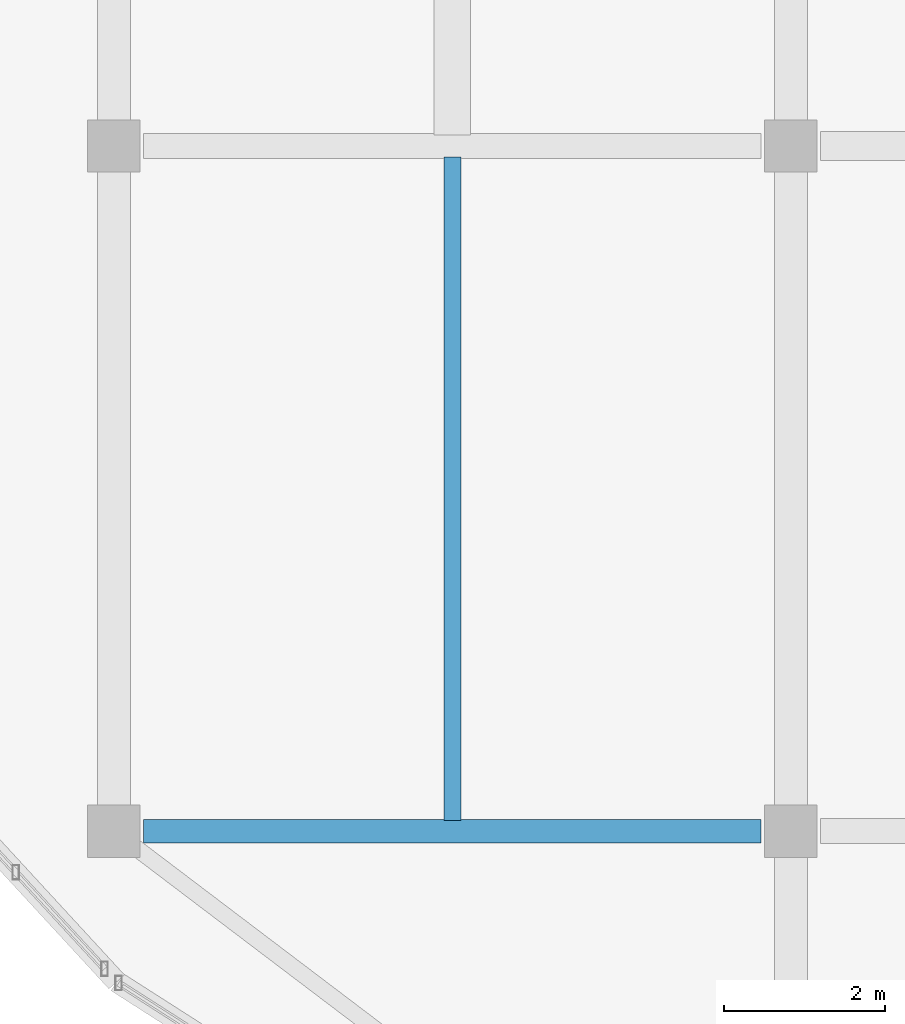
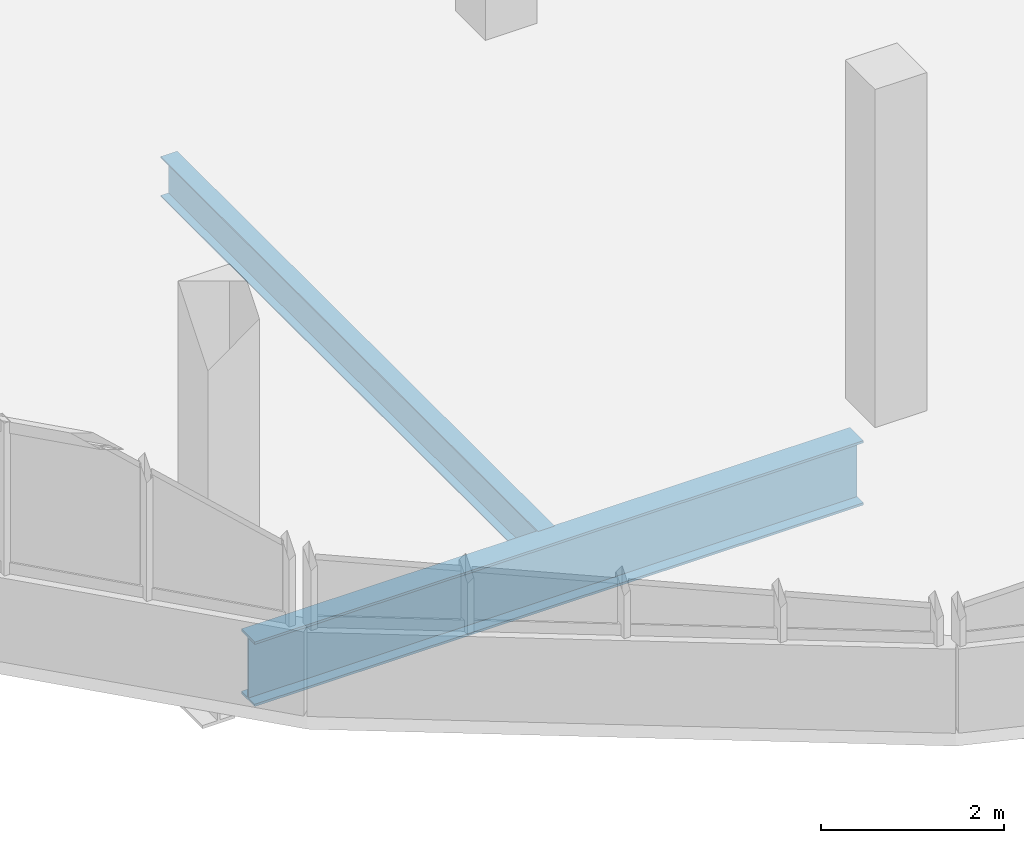
# One storey, part 7 of 50: 2 beams.
"""IFC4 building model written with IfcOpenShell, lengths in metres."""

from ifc_helpers import new_model, si_unit, direction, frame, origin, origin_2d, place, context, subcontext, project, spatial, i_section, extrude, material, material_profile, profile_set, type_object, element, save


model = new_model("IFC4")

# Units and contexts
model_context = context("Model", 3, precision=1e-05, world=origin(), true_north=direction((0.0, 1.0)))
body_context = subcontext(model_context, "Body", "Model", "MODEL_VIEW")
ifc_project = project(units=[si_unit("LENGTHUNIT", "METRE"), si_unit("AREAUNIT", "SQUARE_METRE"), si_unit("VOLUMEUNIT", "CUBIC_METRE"), si_unit("PLANEANGLEUNIT", "RADIAN"), si_unit("MASSUNIT", "GRAM", prefix="KILO")], contexts=[model_context])

# Site, building, storey
site_placement = place(None, origin())
site = spatial("IfcSite", under=ifc_project, at=site_placement, CompositionType="ELEMENT")
building_placement = place(site_placement, origin())
building = spatial("IfcBuilding", under=site, at=building_placement, Name="Solvento Point Concert Hall", CompositionType="ELEMENT")
storey_placement = place(building_placement, frame((0.0, 0.0, 15.0)))
storey = spatial("IfcBuildingStorey", under=building, at=storey_placement, Name="L03", CompositionType="ELEMENT", Elevation=15.0)

# Beams
ifc_material_1 = material(Name="Structural Steel ASTM A992 Grade 50", Category="steel")
ifc_material_profile_1 = material_profile(ifc_material_1, i_section(OverallWidth=0.20947265625, OverallDepth=0.532958984375, WebThickness=0.01025390625, FlangeThickness=0.015625, at=origin_2d()), Name="W21X62")
ifc_profile_set_1 = profile_set([ifc_material_profile_1], Name="Structural Steel ASTM A992 Grade 50")
beam_type_1 = type_object("IfcBeamType", Name="Beam_W21X62", PredefinedType="BEAM", material=ifc_profile_set_1)
beam_1_placement = place(storey_placement, frame((45.0, 17.131103515625, -0.530517578125), z_axis=(0.0, 1.0, 0.0), x_axis=(-1.0, 0.0, 0.0)))
element("IfcBeam", 1, at=beam_1_placement, inside=storey, type_object=beam_type_1, Name="Secondary floor joist B-25 L03", PredefinedType="BEAM", context=body_context, shape_type="SweptSolid", body=[
    extrude(i_section(OverallWidth=0.20947265625, OverallDepth=0.532958984375, WebThickness=0.01025390625, FlangeThickness=0.015625, at=origin_2d()), origin(), (0.0, 0.0, 1.0), 8.230224609375),
])
ifc_material_2 = material(Name="Structural Steel ASTM A992 Grade 50", Category="steel")
ifc_material_profile_2 = material_profile(ifc_material_2, i_section(OverallWidth=0.2919921875, OverallDepth=0.85888671875, WebThickness=0.01708984375, FlangeThickness=0.031005859375, at=origin_2d()), Name="W33X169")
ifc_profile_set_2 = profile_set([ifc_material_profile_2], Name="Structural Steel ASTM A992 Grade 50")
beam_type_2 = type_object("IfcBeamType", Name="Girder_W33X169", PredefinedType="USERDEFINED", material=ifc_profile_set_2)
beam_2_placement = place(storey_placement, frame((41.1689453125, 17.0, -0.693603515625), z_axis=(1.0, 0.0, 0.0), x_axis=(0.0, 1.0, 0.0)))
element("IfcBeam", 2, at=beam_2_placement, inside=storey, type_object=beam_type_2, Name="Primary girder B-33 L03", ObjectType="GIRDER", PredefinedType="USERDEFINED", context=body_context, shape_type="SweptSolid", body=[
    extrude(i_section(OverallWidth=0.2919921875, OverallDepth=0.85888671875, WebThickness=0.01708984375, FlangeThickness=0.031005859375, at=origin_2d()), origin(), (0.0, 0.0, 1.0), 7.662109375),
])

save(model, "model.ifc")
